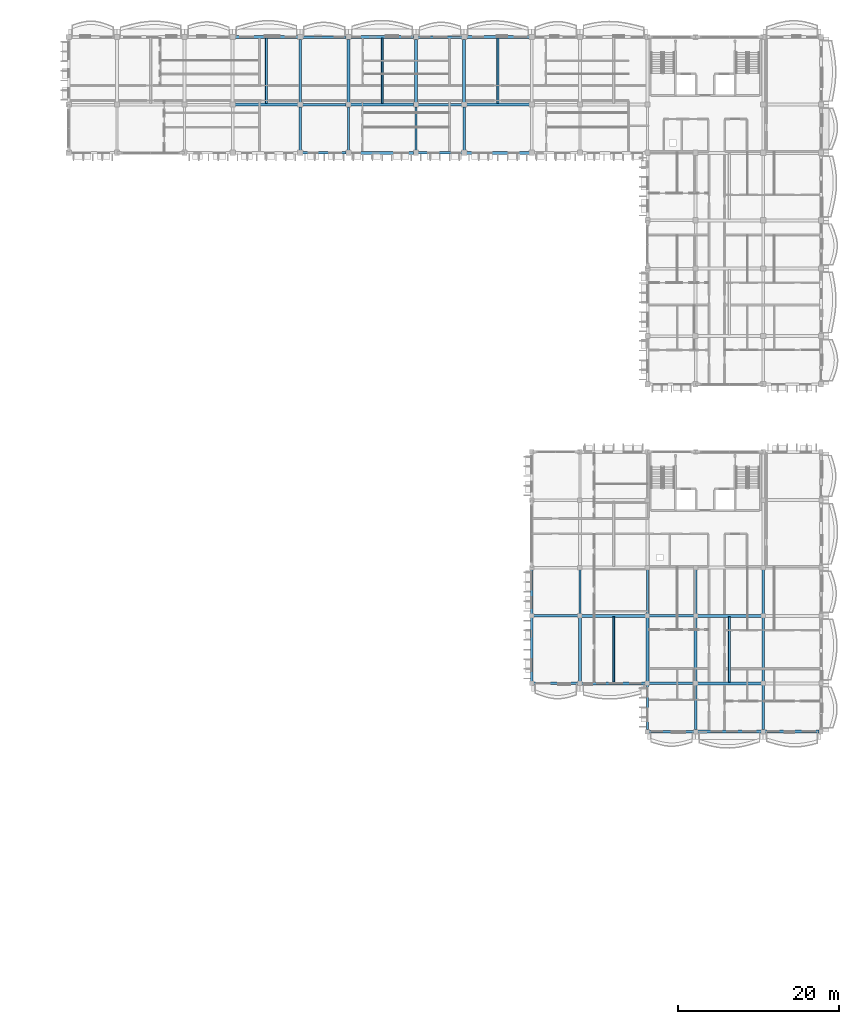
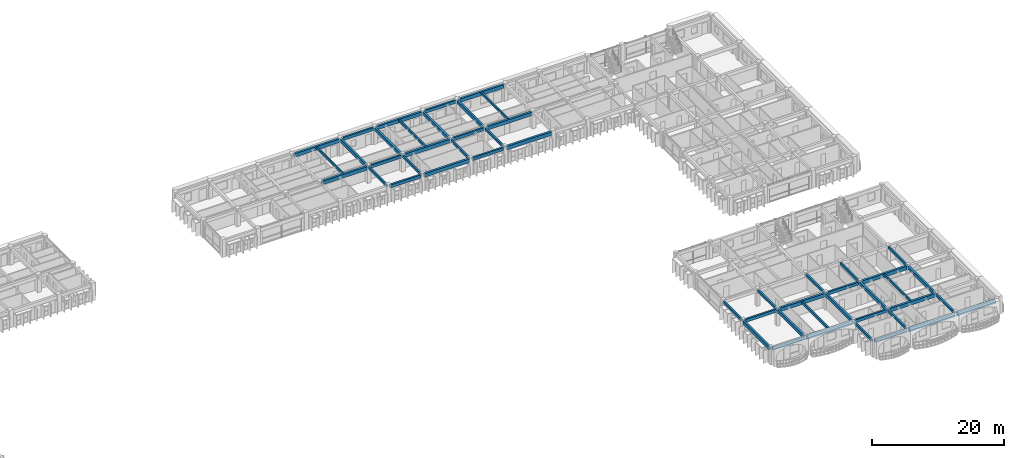
# One storey, part 14 of 79: 51 beams.
"""IFC4 building model written with IfcOpenShell, lengths in metres."""

from ifc_helpers import new_model, si_unit, direction, frame, origin, origin_2d, place, context, subcontext, project, spatial, rectangle, extrude, material, material_profile, profile_set, type_object, element, save


model = new_model("IFC4")

# Units and contexts
model_context = context("Model", 3, precision=1e-05, world=origin(), true_north=direction((0.0, 1.0)))
body_context = subcontext(model_context, "Body", "Model", "MODEL_VIEW")
ifc_project = project(units=[si_unit("LENGTHUNIT", "METRE"), si_unit("AREAUNIT", "SQUARE_METRE"), si_unit("VOLUMEUNIT", "CUBIC_METRE"), si_unit("PLANEANGLEUNIT", "RADIAN"), si_unit("MASSUNIT", "GRAM", prefix="KILO"), si_unit("THERMODYNAMICTEMPERATUREUNIT", "KELVIN")], contexts=[model_context])

# Site, building, storey
site_placement = place(None, origin())
site = spatial("IfcSite", under=ifc_project, at=site_placement, CompositionType="ELEMENT")
building_placement = place(site_placement, origin())
building = spatial("IfcBuilding", under=site, at=building_placement, Name="Thalorik Housing Commons", CompositionType="ELEMENT")
storey_placement = place(building_placement, frame((0.0, 0.0, 11.39990234375)))
storey = spatial("IfcBuildingStorey", under=building, at=storey_placement, Name="L03", CompositionType="ELEMENT", Elevation=11.39990234375)

# Beams
ifc_material = material(Name="Precast concrete C40/50", Category="concrete")
ifc_material_profile_1 = material_profile(ifc_material, rectangle(XDim=0.280029296875, YDim=0.449951171875, at=origin_2d()), Name="PC 280x450", Category="concrete")
ifc_profile_set_1 = profile_set([ifc_material_profile_1], Name="Precast concrete C40/50")
beam_type_1 = type_object("IfcBeamType", Name="STR-BM-PC280x450", PredefinedType="BEAM", material=ifc_profile_set_1)
for number, where, z_axis, x_axis, name in (
    (1, (109.199951171875, 109.47509765625, 2.815185546875), (0.0, 1.0, 0.0), (-1.0, 0.0, 0.0), "L03 Beam B-450"),
    (2, (115.199951171875, 109.47509765625, 2.815185546875), (0.0, 1.0, 0.0), (-1.0, 0.0, 0.0), "L03 Beam B-450"),
    (3, (123.60009765625, 109.47509765625, 2.815185546875), (0.0, 1.0, 0.0), (-1.0, 0.0, 0.0), "L03 Beam B-450"),
    (4, (129.60009765625, 109.47509765625, 2.815185546875), (0.0, 1.0, 0.0), (-1.0, 0.0, 0.0), "L03 Beam B-450"),
):
    element("IfcBeam", number, at=place(storey_placement, frame(where, z_axis=z_axis, x_axis=x_axis)), inside=storey, type_object=beam_type_1, Name=name, PredefinedType="BEAM", context=body_context, shape_type="SweptSolid", body=[
        extrude(rectangle(XDim=0.280029296875, YDim=0.449951171875, at=origin_2d()), origin(), (0.0, 0.0, 1.0), 5.449951171875),
    ])
for number, where, z_axis, x_axis, name in (
    (5, (138.0, 51.824951171875, 2.815185546875), (0.0, 1.0, 0.0), (-1.0, 0.0, 0.0), "L03 Beam B-450"),
    (6, (144.0, 51.824951171875, 2.815185546875), (0.0, 1.0, 0.0), (-1.0, 0.0, 0.0), "L03 Beam B-450"),
    (7, (152.39990234375, 37.425048828125, 2.815185546875), (0.0, 1.0, 0.0), (-1.0, 0.0, 0.0), "L03 Beam B-450"),
    (8, (152.39990234375, 51.824951171875, 2.815185546875), (0.0, 1.0, 0.0), (-1.0, 0.0, 0.0), "L03 Beam B-450"),
    (9, (158.39990234375, 37.425048828125, 2.815185546875), (0.0, 1.0, 0.0), (-1.0, 0.0, 0.0), "L03 Beam B-450"),
    (10, (158.39990234375, 51.824951171875, 2.815185546875), (0.0, 1.0, 0.0), (-1.0, 0.0, 0.0), "L03 Beam B-450"),
    (11, (166.800048828125, 37.425048828125, 2.815185546875), (0.0, 1.0, 0.0), (-1.0, 0.0, 0.0), "L03 Beam B-450"),
    (12, (166.800048828125, 51.824951171875, 2.815185546875), (0.0, 1.0, 0.0), (-1.0, 0.0, 0.0), "L03 Beam B-450"),
):
    element("IfcBeam", number, at=place(storey_placement, frame(where, z_axis=z_axis, x_axis=x_axis)), inside=storey, type_object=beam_type_1, Name=name, PredefinedType="BEAM", context=body_context, shape_type="SweptSolid", body=[
        extrude(rectangle(XDim=0.280029296875, YDim=0.449951171875, at=origin_2d()), origin(), (0.0, 0.0, 1.0), 5.550048828125),
    ])
ifc_material_profile_2 = material_profile(ifc_material, rectangle(XDim=0.320068359375, YDim=0.550048828125, at=origin_2d()), Name="PC 320x550", Category="concrete")
ifc_profile_set_2 = profile_set([ifc_material_profile_2], Name="Precast concrete C40/50")
beam_type_2 = type_object("IfcBeamType", Name="STR-BM-PC320x550", PredefinedType="BEAM", material=ifc_profile_set_2)
beam_1_placement = place(storey_placement, frame((152.625, 37.199951171875, 2.76513671875), z_axis=(1.0, 0.0, 0.0), x_axis=(0.0, 1.0, 0.0)))
element("IfcBeam", 13, at=beam_1_placement, inside=storey, type_object=beam_type_2, Name="L03 Beam B-550", PredefinedType="BEAM", context=body_context, shape_type="SweptSolid", body=[
    extrude(rectangle(XDim=0.320068359375, YDim=0.550048828125, at=origin_2d()), origin(), (0.0, 0.0, 1.0), 5.550048828125),
])
beam_2_placement = place(storey_placement, frame((138.22509765625, 43.199951171875, 2.76513671875), z_axis=(1.0, 0.0, 0.0), x_axis=(0.0, 1.0, 0.0)))
element("IfcBeam", 14, at=beam_2_placement, inside=storey, type_object=beam_type_2, Name="L03 Beam B-550", PredefinedType="BEAM", context=body_context, shape_type="SweptSolid", body=[
    extrude(rectangle(XDim=0.320068359375, YDim=0.550048828125, at=origin_2d()), origin(), (0.0, 0.0, 1.0), 5.5498046875),
])
beam_3_placement = place(storey_placement, frame((152.625, 43.199951171875, 2.76513671875), z_axis=(1.0, 0.0, 0.0), x_axis=(0.0, 1.0, 0.0)))
element("IfcBeam", 15, at=beam_3_placement, inside=storey, type_object=beam_type_2, Name="L03 Beam B-550", PredefinedType="BEAM", context=body_context, shape_type="SweptSolid", body=[
    extrude(rectangle(XDim=0.320068359375, YDim=0.550048828125, at=origin_2d()), origin(), (0.0, 0.0, 1.0), 5.550048828125),
])
beam_4_placement = place(storey_placement, frame((138.22509765625, 51.60009765625, 2.76513671875), z_axis=(1.0, 0.0, 0.0), x_axis=(0.0, 1.0, 0.0)))
element("IfcBeam", 16, at=beam_4_placement, inside=storey, type_object=beam_type_2, Name="L03 Beam B-550", PredefinedType="BEAM", context=body_context, shape_type="SweptSolid", body=[
    extrude(rectangle(XDim=0.320068359375, YDim=0.550048828125, at=origin_2d()), origin(), (0.0, 0.0, 1.0), 5.5498046875),
])
beam_5_placement = place(storey_placement, frame((152.625, 51.60009765625, 2.76513671875), z_axis=(1.0, 0.0, 0.0), x_axis=(0.0, 1.0, 0.0)))
element("IfcBeam", 17, at=beam_5_placement, inside=storey, type_object=beam_type_2, Name="L03 Beam B-550", PredefinedType="BEAM", context=body_context, shape_type="SweptSolid", body=[
    extrude(rectangle(XDim=0.320068359375, YDim=0.550048828125, at=origin_2d()), origin(), (0.0, 0.0, 1.0), 5.550048828125),
])
for number, where, z_axis, x_axis, name in (
    (18, (109.47509765625, 109.199951171875, 2.76513671875), (1.0, 0.0, 0.0), (0.0, 1.0, 0.0), "L03 Beam B-550"),
    (19, (123.875, 109.199951171875, 2.76513671875), (1.0, 0.0, 0.0), (0.0, 1.0, 0.0), "L03 Beam B-550"),
    (20, (109.47509765625, 115.199951171875, 2.76513671875), (1.0, 0.0, 0.0), (0.0, 1.0, 0.0), "L03 Beam B-550"),
    (21, (123.875, 115.199951171875, 2.76513671875), (1.0, 0.0, 0.0), (0.0, 1.0, 0.0), "L03 Beam B-550"),
    (22, (109.47509765625, 123.60009765625, 2.76513671875), (1.0, 0.0, 0.0), (0.0, 1.0, 0.0), "L03 Beam B-550"),
    (23, (123.875, 123.60009765625, 2.76513671875), (1.0, 0.0, 0.0), (0.0, 1.0, 0.0), "L03 Beam B-550"),
):
    element("IfcBeam", number, at=place(storey_placement, frame(where, z_axis=z_axis, x_axis=x_axis)), inside=storey, type_object=beam_type_2, Name=name, PredefinedType="BEAM", context=body_context, shape_type="SweptSolid", body=[
        extrude(rectangle(XDim=0.320068359375, YDim=0.550048828125, at=origin_2d()), origin(), (0.0, 0.0, 1.0), 5.449951171875),
    ])
ifc_material_profile_3 = material_profile(ifc_material, rectangle(XDim=0.35009765625, YDim=0.60009765625, at=origin_2d()), Name="PC 350x600", Category="concrete")
ifc_profile_set_3 = profile_set([ifc_material_profile_3], Name="Precast concrete C40/50")
beam_type_3 = type_object("IfcBeamType", Name="STR-BM-PC350x600", PredefinedType="BEAM", material=ifc_profile_set_3)
for number, where, z_axis, x_axis, name in (
    (24, (109.199951171875, 115.47509765625, 2.739990234375), (0.0, 1.0, 0.0), (-1.0, 0.0, 0.0), "L03 Beam B-600"),
    (25, (115.199951171875, 115.47509765625, 2.739990234375), (0.0, 1.0, 0.0), (-1.0, 0.0, 0.0), "L03 Beam B-600"),
    (26, (123.60009765625, 115.47509765625, 2.739990234375), (0.0, 1.0, 0.0), (-1.0, 0.0, 0.0), "L03 Beam B-600"),
    (27, (129.60009765625, 115.47509765625, 2.739990234375), (0.0, 1.0, 0.0), (-1.0, 0.0, 0.0), "L03 Beam B-600"),
):
    element("IfcBeam", number, at=place(storey_placement, frame(where, z_axis=z_axis, x_axis=x_axis)), inside=storey, type_object=beam_type_3, Name=name, PredefinedType="BEAM", context=body_context, shape_type="SweptSolid", body=[
        extrude(rectangle(XDim=0.35009765625, YDim=0.60009765625, at=origin_2d()), origin(), (0.0, 0.0, 1.0), 7.849853515625),
    ])
for number, where, z_axis, x_axis, name in (
    (28, (138.0, 43.425048828125, 2.739990234375), (0.0, 1.0, 0.0), (-1.0, 0.0, 0.0), "L03 Beam B-600"),
    (29, (144.0, 43.425048828125, 2.739990234375), (0.0, 1.0, 0.0), (-1.0, 0.0, 0.0), "L03 Beam B-600"),
    (30, (152.39990234375, 43.425048828125, 2.739990234375), (0.0, 1.0, 0.0), (-1.0, 0.0, 0.0), "L03 Beam B-600"),
    (31, (158.39990234375, 43.425048828125, 2.739990234375), (0.0, 1.0, 0.0), (-1.0, 0.0, 0.0), "L03 Beam B-600"),
    (32, (166.800048828125, 43.425048828125, 2.739990234375), (0.0, 1.0, 0.0), (-1.0, 0.0, 0.0), "L03 Beam B-600"),
):
    element("IfcBeam", number, at=place(storey_placement, frame(where, z_axis=z_axis, x_axis=x_axis)), inside=storey, type_object=beam_type_3, Name=name, PredefinedType="BEAM", context=body_context, shape_type="SweptSolid", body=[
        extrude(rectangle(XDim=0.35009765625, YDim=0.60009765625, at=origin_2d()), origin(), (0.0, 0.0, 1.0), 7.949951171875),
    ])
ifc_material_profile_4 = material_profile(ifc_material, rectangle(XDim=0.3798828125, YDim=0.64990234375, at=origin_2d()), Name="PC 380x650", Category="concrete")
ifc_profile_set_4 = profile_set([ifc_material_profile_4], Name="Precast concrete C40/50")
beam_type_4 = type_object("IfcBeamType", Name="STR-BM-PC380x650", PredefinedType="BEAM", material=ifc_profile_set_4)
beam_6_placement = place(storey_placement, frame((158.625, 37.199951171875, 2.715087890625), z_axis=(1.0, 0.0, 0.0), x_axis=(0.0, 1.0, 0.0)))
element("IfcBeam", 33, at=beam_6_placement, inside=storey, type_object=beam_type_4, Name="L03 Beam B-650", PredefinedType="BEAM", context=body_context, shape_type="SweptSolid", body=[
    extrude(rectangle(XDim=0.3798828125, YDim=0.64990234375, at=origin_2d()), origin(), (0.0, 0.0, 1.0), 7.949951171875),
])
beam_7_placement = place(storey_placement, frame((167.02490234375, 37.199951171875, 2.715087890625), z_axis=(1.0, 0.0, 0.0), x_axis=(0.0, 1.0, 0.0)))
element("IfcBeam", 34, at=beam_7_placement, inside=storey, type_object=beam_type_4, Name="L03 Beam B-650", PredefinedType="BEAM", context=body_context, shape_type="SweptSolid", body=[
    extrude(rectangle(XDim=0.3798828125, YDim=0.64990234375, at=origin_2d()), origin(), (0.0, 0.0, 1.0), 6.75),
])
for number, where, z_axis, x_axis, name in (
    (35, (144.22509765625, 43.199951171875, 2.715087890625), (1.0, 0.0, 0.0), (0.0, 1.0, 0.0), "L03 Beam B-650"),
    (36, (158.625, 43.199951171875, 2.715087890625), (1.0, 0.0, 0.0), (0.0, 1.0, 0.0), "L03 Beam B-650"),
    (37, (144.22509765625, 51.60009765625, 2.715087890625), (1.0, 0.0, 0.0), (0.0, 1.0, 0.0), "L03 Beam B-650"),
    (38, (158.625, 51.60009765625, 2.715087890625), (1.0, 0.0, 0.0), (0.0, 1.0, 0.0), "L03 Beam B-650"),
):
    element("IfcBeam", number, at=place(storey_placement, frame(where, z_axis=z_axis, x_axis=x_axis)), inside=storey, type_object=beam_type_4, Name=name, PredefinedType="BEAM", context=body_context, shape_type="SweptSolid", body=[
        extrude(rectangle(XDim=0.3798828125, YDim=0.64990234375, at=origin_2d()), origin(), (0.0, 0.0, 1.0), 7.949951171875),
    ])
beam_8_placement = place(storey_placement, frame((115.47509765625, 109.199951171875, 2.715087890625), z_axis=(1.0, 0.0, 0.0), x_axis=(0.0, 1.0, 0.0)))
element("IfcBeam", 39, at=beam_8_placement, inside=storey, type_object=beam_type_4, Name="L03 Beam B-650", PredefinedType="BEAM", context=body_context, shape_type="SweptSolid", body=[
    extrude(rectangle(XDim=0.3798828125, YDim=0.64990234375, at=origin_2d()), origin(), (0.0, 0.0, 1.0), 7.849853515625),
])
for number, where, z_axis, x_axis, name in (
    (40, (129.875, 109.199951171875, 2.715087890625), (1.0, 0.0, 0.0), (0.0, 1.0, 0.0), "L03 Beam B-650"),
    (41, (101.074951171875, 115.199951171875, 2.715087890625), (1.0, 0.0, 0.0), (0.0, 1.0, 0.0), "L03 Beam B-650"),
):
    element("IfcBeam", number, at=place(storey_placement, frame(where, z_axis=z_axis, x_axis=x_axis)), inside=storey, type_object=beam_type_4, Name=name, PredefinedType="BEAM", context=body_context, shape_type="SweptSolid", body=[
        extrude(rectangle(XDim=0.3798828125, YDim=0.64990234375, at=origin_2d()), origin(), (0.0, 0.0, 1.0), 7.85009765625),
    ])
beam_9_placement = place(storey_placement, frame((115.47509765625, 115.199951171875, 2.715087890625), z_axis=(1.0, 0.0, 0.0), x_axis=(0.0, 1.0, 0.0)))
element("IfcBeam", 42, at=beam_9_placement, inside=storey, type_object=beam_type_4, Name="L03 Beam B-650", PredefinedType="BEAM", context=body_context, shape_type="SweptSolid", body=[
    extrude(rectangle(XDim=0.3798828125, YDim=0.64990234375, at=origin_2d()), origin(), (0.0, 0.0, 1.0), 7.849853515625),
])
for number, where, z_axis, x_axis, name in (
    (43, (129.875, 115.199951171875, 2.715087890625), (1.0, 0.0, 0.0), (0.0, 1.0, 0.0), "L03 Beam B-650"),
    (44, (101.074951171875, 123.60009765625, 2.715087890625), (1.0, 0.0, 0.0), (0.0, 1.0, 0.0), "L03 Beam B-650"),
):
    element("IfcBeam", number, at=place(storey_placement, frame(where, z_axis=z_axis, x_axis=x_axis)), inside=storey, type_object=beam_type_4, Name=name, PredefinedType="BEAM", context=body_context, shape_type="SweptSolid", body=[
        extrude(rectangle(XDim=0.3798828125, YDim=0.64990234375, at=origin_2d()), origin(), (0.0, 0.0, 1.0), 7.85009765625),
    ])
beam_10_placement = place(storey_placement, frame((115.47509765625, 123.60009765625, 2.715087890625), z_axis=(1.0, 0.0, 0.0), x_axis=(0.0, 1.0, 0.0)))
element("IfcBeam", 45, at=beam_10_placement, inside=storey, type_object=beam_type_4, Name="L03 Beam B-650", PredefinedType="BEAM", context=body_context, shape_type="SweptSolid", body=[
    extrude(rectangle(XDim=0.3798828125, YDim=0.64990234375, at=origin_2d()), origin(), (0.0, 0.0, 1.0), 7.849853515625),
])
beam_11_placement = place(storey_placement, frame((129.875, 123.60009765625, 2.715087890625), z_axis=(1.0, 0.0, 0.0), x_axis=(0.0, 1.0, 0.0)))
element("IfcBeam", 46, at=beam_11_placement, inside=storey, type_object=beam_type_4, Name="L03 Beam B-650", PredefinedType="BEAM", context=body_context, shape_type="SweptSolid", body=[
    extrude(rectangle(XDim=0.3798828125, YDim=0.64990234375, at=origin_2d()), origin(), (0.0, 0.0, 1.0), 7.85009765625),
])
ifc_material_profile_5 = material_profile(ifc_material, rectangle(XDim=0.239990234375, YDim=0.43994140625, at=origin_2d()), Name="PC JST 240x440", Category="concrete")
ifc_profile_set_5 = profile_set([ifc_material_profile_5], Name="Precast concrete C40/50")
beam_type_5 = type_object("IfcBeamType", Name="STR-JST-PC240x440", PredefinedType="JOIST", material=ifc_profile_set_5)
for number, where, z_axis, x_axis, name in (
    (47, (148.199951171875, 43.340087890625, 2.820068359375), (0.0, 1.0, 0.0), (-1.0, 0.0, 0.0), "L03 Beam J-440"),
    (48, (162.60009765625, 43.340087890625, 2.820068359375), (0.0, 1.0, 0.0), (-1.0, 0.0, 0.0), "L03 Beam J-440"),
    (49, (105.0, 115.340087890625, 2.820068359375), (0.0, 1.0, 0.0), (-1.0, 0.0, 0.0), "L03 Beam J-440"),
    (50, (119.39990234375, 115.340087890625, 2.820068359375), (0.0, 1.0, 0.0), (-1.0, 0.0, 0.0), "L03 Beam J-440"),
    (51, (133.800048828125, 115.340087890625, 2.820068359375), (0.0, 1.0, 0.0), (-1.0, 0.0, 0.0), "L03 Beam J-440"),
):
    element("IfcBeam", number, at=place(storey_placement, frame(where, z_axis=z_axis, x_axis=x_axis)), inside=storey, type_object=beam_type_5, Name=name, PredefinedType="JOIST", context=body_context, shape_type="SweptSolid", body=[
        extrude(rectangle(XDim=0.239990234375, YDim=0.43994140625, at=origin_2d()), origin(), (0.0, 0.0, 1.0), 8.119873046875),
    ])

save(model, "model.ifc")
